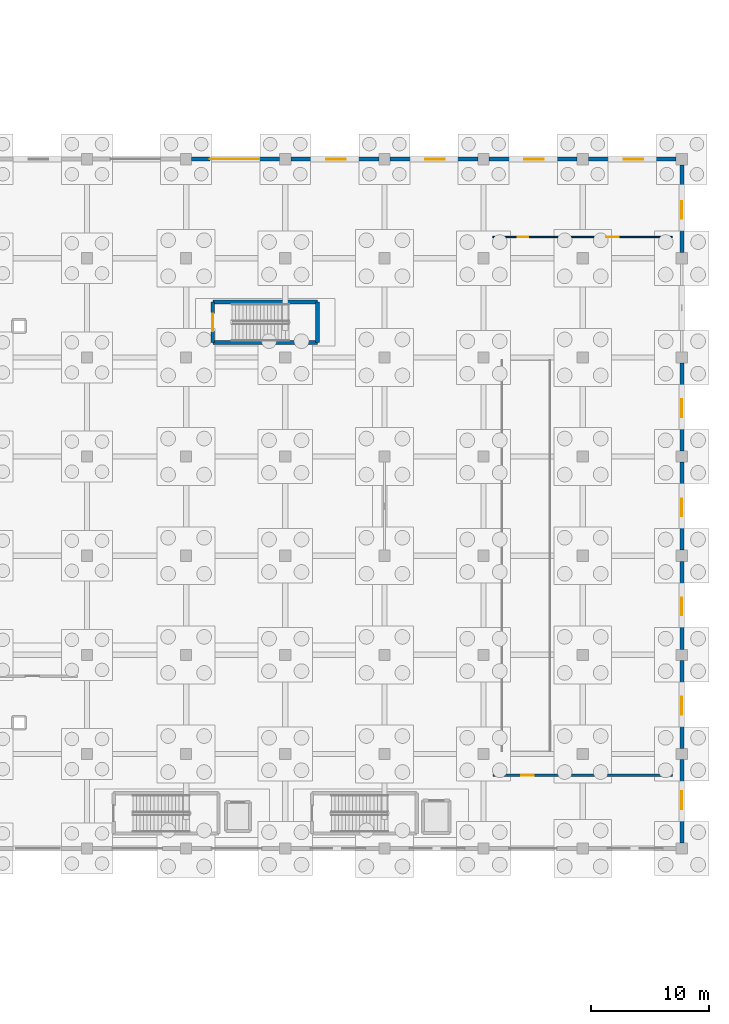
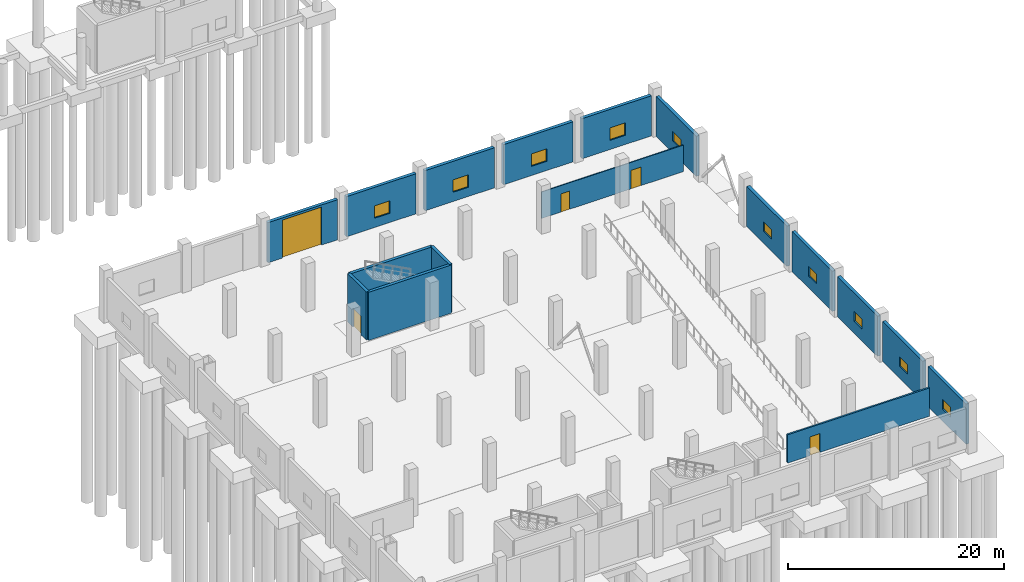
# One storey, part 59 of 83: 17 walls, 10 windows, 5 doors, 15 openings.
"""IFC4 building model written with IfcOpenShell, lengths in metres."""

import ifcopenshell
import ifcopenshell.guid

model = None  # the IFC model being written
_history = None  # IfcOwnerHistory: only IFC2X3 demands one
_inside = {}  # id of a spatial element -> (the spatial element, [elements in it])
_under = {}  # id of a project, library or spatial element -> (it, [spatial elements below it])
_declared = {}  # id of a project -> (the project, [libraries it declares])
_typed = {}  # id of a type object -> (the type object, [elements of that type])
_made_of = {}  # id of a material, layer set ... -> (it, [elements and type objects made of it])


def new_model(schema):
    """Start an empty IFC model of exactly this schema.

    Asked for "IFC4X3", IfcOpenShell would pick the latest addendum, in which some entities
    have other attributes; the version numbers below select the first issue.
    IFC2X3 requires an IfcOwnerHistory on every rooted entity: one is made here for all.
    """
    global model, _history
    if schema == "IFC4X3":
        model = ifcopenshell.file(schema_version=(4, 3, 0, 0))
    else:
        model = ifcopenshell.file(schema=schema)
    _inside.clear()
    _under.clear()
    _declared.clear()
    _typed.clear()
    _made_of.clear()
    _history = None
    if model.schema == "IFC2X3":
        org = make("IfcOrganization", Name="unknown")
        user = make(
            "IfcPersonAndOrganization",
            ThePerson=make("IfcPerson", FamilyName="unknown"),
            TheOrganization=org,
        )
        app = make(
            "IfcApplication",
            ApplicationDeveloper=org,
            Version="unknown",
            ApplicationFullName="unknown",
            ApplicationIdentifier="unknown",
        )
        _history = make(
            "IfcOwnerHistory",
            OwningUser=user,
            OwningApplication=app,
            ChangeAction="ADDED",
            CreationDate=0,
        )
    return model


def make(cls, **values):
    """One entity of the class cls with the attributes given. An attribute that is None is left unset."""
    return model.create_entity(
        cls, **{name: value for name, value in values.items() if value is not None}
    )


def rooted(cls, **values):
    """An entity with a GlobalId (a new one), such as an element, a storey or a relation."""
    return make(cls, GlobalId=ifcopenshell.guid.new(), OwnerHistory=_history, **values)


def si_unit(unit_type, name, prefix=None):
    """IfcSIUnit, for example si_unit("LENGTHUNIT", "METRE", prefix="MILLI")."""
    return make("IfcSIUnit", UnitType=unit_type, Prefix=prefix, Name=name)


def assignment(units):
    """IfcUnitAssignment: the units of a project."""
    return None if units is None else make("IfcUnitAssignment", Units=units)


def point(xyz):
    """IfcCartesianPoint."""
    return None if xyz is None else make("IfcCartesianPoint", Coordinates=xyz)


def direction(xyz):
    """IfcDirection."""
    return None if xyz is None else make("IfcDirection", DirectionRatios=xyz)


def frame(location, z_axis=None, x_axis=None):
    """IfcAxis2Placement3D, a coordinate frame: its origin and axes. An axis left out is left unset."""
    return make(
        "IfcAxis2Placement3D",
        Location=point(location),
        Axis=direction(z_axis),
        RefDirection=direction(x_axis),
    )


def frame_2d(location, x_axis=None):
    """IfcAxis2Placement2D, a coordinate frame in the plane: its origin and x axis."""
    return make(
        "IfcAxis2Placement2D", Location=point(location), RefDirection=direction(x_axis)
    )


def origin():
    """The frame at (0, 0, 0) with its axes left unset."""
    return frame((0.0, 0.0, 0.0))


def place(relative_to, where):
    """IfcLocalPlacement: puts the frame where relative to a parent placement (None: the world)."""
    return make(
        "IfcLocalPlacement", PlacementRelTo=relative_to, RelativePlacement=where
    )


def context(
    kind, dimensions, precision=None, world=None, true_north=None, identifier=None
):
    """IfcGeometricRepresentationContext, for example the 3D "Model" context."""
    return make(
        "IfcGeometricRepresentationContext",
        ContextIdentifier=identifier,
        ContextType=kind,
        CoordinateSpaceDimension=dimensions,
        Precision=precision,
        WorldCoordinateSystem=world,
        TrueNorth=true_north,
    )


def subcontext(parent, identifier, kind, view, scale=None):
    """IfcGeometricRepresentationSubContext, for example "Body" below "Model"."""
    return make(
        "IfcGeometricRepresentationSubContext",
        ContextIdentifier=identifier,
        ContextType=kind,
        ParentContext=parent,
        TargetScale=scale,
        TargetView=view,
    )


def project(units=None, contexts=None):
    """IfcProject with its units and contexts."""
    return rooted(
        "IfcProject",
        Name="project",
        RepresentationContexts=contexts,
        UnitsInContext=assignment(units),
    )


def spatial(cls, under=None, at=None, **own):
    """A site, building, storey or space (cls), placed at a placement, below another one or the project."""
    s = rooted(cls, ObjectPlacement=at, **own)
    if under is not None:
        _under.setdefault(under.id(), (under, []))[1].append(s)
    return s


def profile(cls, at=None, kind="AREA", **sizes):
    """A parametric profile (cls). Its sizes go by their IFC names, for example OverallWidth=200.0."""
    return make(cls, ProfileType=kind, Position=at, **sizes)


def rectangle(**sizes):
    """IfcRectangleProfileDef."""
    return profile("IfcRectangleProfileDef", **sizes)


def extrude(swept, where, along, depth):
    """IfcExtrudedAreaSolid: the profile swept, set in the frame where, extruded along a direction by depth."""
    return make(
        "IfcExtrudedAreaSolid",
        SweptArea=swept,
        Position=where,
        ExtrudedDirection=direction(along),
        Depth=depth,
    )


def shape(context_of_items, identifier, shape_type, items):
    """IfcShapeRepresentation: the items that make up one representation, for example the "Body"."""
    return make(
        "IfcShapeRepresentation",
        ContextOfItems=context_of_items,
        RepresentationIdentifier=identifier,
        RepresentationType=shape_type,
        Items=items,
    )


def material(Name=None, Category=None):
    """IfcMaterial."""
    return make("IfcMaterial", Name=Name, Category=Category)


def layer(
    of_material, thickness, ventilated=None, Name=None, Category=None, Priority=None
):
    """IfcMaterialLayer: one layer of a wall or slab, of a material (None: an air gap)."""
    return make(
        "IfcMaterialLayer",
        Material=of_material,
        LayerThickness=thickness,
        IsVentilated=ventilated,
        Name=Name,
        Category=Category,
        Priority=Priority,
    )


def layer_set(layers, Name=None):
    """IfcMaterialLayerSet."""
    return make("IfcMaterialLayerSet", MaterialLayers=layers, LayerSetName=Name)


def made_of(thing, what):
    """Note that an element or type object is made of a material, layer set ...; save() writes the relation."""
    if what is not None:
        _made_of.setdefault(what.id(), (what, []))[1].append(thing)
    return thing


def type_object(cls, material=None, **own):
    """A type object (cls), such as IfcWallType, which elements share."""
    return made_of(rooted(cls, **own), material)


def element(
    cls,
    number,
    at=None,
    inside=None,
    cuts=None,
    type_object=None,
    material=None,
    context=None,
    identifier="Body",
    shape_type=None,
    held_by="IfcProductDefinitionShape",
    body=None,
    shapes=None,
    **own,
):
    """One element of the class cls, such as IfcWall. Its Tag is "e" and its number.

    at: its placement. inside: the storey or other place that contains it. cuts: it is an
    opening in that element (IfcRelVoidsElement). A single representation is given by context,
    identifier, shape_type and body (its items); several are given by shapes. held_by: the class
    of the entity that holds the representations. save() writes the other relations.
    """
    e = rooted(cls, Tag="e%d" % number, ObjectPlacement=at, **own)
    if body is not None:
        shapes = [shape(context, identifier, shape_type, body)]
    if shapes is not None:
        e.Representation = make(held_by, Representations=shapes)
    if inside is not None:
        _inside.setdefault(inside.id(), (inside, []))[1].append(e)
    if cuts is not None:
        rooted(
            "IfcRelVoidsElement", RelatingBuildingElement=cuts, RelatedOpeningElement=e
        )
    if type_object is not None:
        _typed.setdefault(type_object.id(), (type_object, []))[1].append(e)
    return made_of(e, material)


def fill(opening, filler):
    """IfcRelFillsElement: the door or window that sits in an opening."""
    return rooted(
        "IfcRelFillsElement",
        RelatingOpeningElement=opening,
        RelatedBuildingElement=filler,
    )


def aggregate(whole, parts):
    """IfcRelAggregates: a whole, such as a stair, and the parts it consists of."""
    return rooted("IfcRelAggregates", RelatingObject=whole, RelatedObjects=parts)


def save(model, path):
    """Write the relations noted so far, then the file.

    IfcRelAggregates (storeys below a building ...), IfcRelContainedInSpatialStructure (elements
    in a storey), IfcRelDefinesByType, IfcRelAssociatesMaterial and IfcRelDeclares: one each for
    every whole, place, type object, material and project.
    """
    for whole, parts in _under.values():
        aggregate(whole, parts)
    for where, things in _inside.values():
        rooted(
            "IfcRelContainedInSpatialStructure",
            RelatedElements=things,
            RelatingStructure=where,
        )
    for kind, things in _typed.values():
        rooted("IfcRelDefinesByType", RelatedObjects=things, RelatingType=kind)
    for what, things in _made_of.values():
        rooted("IfcRelAssociatesMaterial", RelatedObjects=things, RelatingMaterial=what)
    for by, libraries in _declared.values():
        rooted("IfcRelDeclares", RelatingContext=by, RelatedDefinitions=libraries)
    model.write(path)


model = new_model("IFC4")

# Units and contexts
model_context = context("Model", 3, precision=1e-05, world=origin(), true_north=direction((0.0, 1.0)))
body_context = subcontext(model_context, "Body", "Model", "MODEL_VIEW")
ifc_project = project(units=[si_unit("LENGTHUNIT", "METRE"), si_unit("AREAUNIT", "SQUARE_METRE"), si_unit("VOLUMEUNIT", "CUBIC_METRE"), si_unit("PLANEANGLEUNIT", "RADIAN"), si_unit("MASSUNIT", "GRAM", prefix="KILO"), si_unit("THERMODYNAMICTEMPERATUREUNIT", "KELVIN"), si_unit("POWERUNIT", "WATT")], contexts=[model_context])

# Site, building, storey
site_placement = place(None, origin())
site = spatial("IfcSite", under=ifc_project, at=site_placement, CompositionType="ELEMENT")
building_placement = place(site_placement, origin())
building = spatial("IfcBuilding", under=site, at=building_placement, Name="Mavoryth Pier Ferry Terminal", CompositionType="ELEMENT")
storey_placement = place(building_placement, origin())
storey = spatial("IfcBuildingStorey", under=building, at=storey_placement, Name="L00", CompositionType="ELEMENT", Elevation=0.0)

# Walls
ifc_material_1 = material(Name="Concrete C40/50", Category="concrete")
ifc_layer_1 = layer(ifc_material_1, 0.320068359375, Name="Concrete C40/50", Category="concrete")
ifc_layer_set_1 = layer_set([ifc_layer_1], Name="Concrete C40/50 - CoreWall-Shear-RC320")
wall_type_1 = type_object("IfcWallType", Name="CoreWall-Shear-RC320", PredefinedType="SHEAR", material=ifc_layer_set_1)
for number, where, z_axis, x_axis, name in (
    (1, (128.260009765625, 56.860107421875, 0.0), (0.0, 0.0, 1.0), (1.0, 0.0, 0.0), "Interior Wall IW-L00-0189"),
    (2, (128.260009765625, 60.2900390625, 0.0), (0.0, 0.0, 1.0), (1.0, 0.0, 0.0), "Interior Wall IW-L00-0190"),
):
    element("IfcWall", number, at=place(storey_placement, frame(where, z_axis=z_axis, x_axis=x_axis)), inside=storey, type_object=wall_type_1, Name=name, PredefinedType="SHEAR", context=body_context, shape_type="SweptSolid", body=[
        extrude(rectangle(XDim=8.8798828125, YDim=0.320068359375, at=frame_2d((4.43994140625, 0.0))), origin(), (0.0, 0.0, 1.0), 5.43994140625),
    ])

# Wall, opening, door
wall_1_placement = place(storey_placement, frame((128.260009765625, 60.2900390625, 0.0), z_axis=(0.0, 0.0, 1.0), x_axis=(0.0, -1.0, 0.0)))
wall_1 = element("IfcWall", 3, at=wall_1_placement, inside=storey, type_object=wall_type_1, Name="Interior Wall IW-L00-0191", PredefinedType="SHEAR", context=body_context, shape_type="SweptSolid", body=[
    extrude(rectangle(XDim=3.429931640625, YDim=0.320068359375, at=frame_2d((1.71484375, 0.0))), origin(), (0.0, 0.0, 1.0), 5.43994140625),
])
opening_1_placement = place(wall_1_placement, frame((0.97509765625, 0.0, 0.0)))
opening_1 = element("IfcOpeningElement", 4, at=opening_1_placement, cuts=wall_1, Name="Opening ID01-048", PredefinedType="OPENING", context=body_context, shape_type="SweptSolid", body=[
    extrude(rectangle(XDim=1.47998046875, YDim=2.14990234375, at=frame_2d((0.739990234375, 1.074951171875))), frame((0.0, 0.169921875, 0.0), z_axis=(0.0, -1.0, 0.0), x_axis=(1.0, 0.0, 0.0)), (0.0, 0.0, 1.0), 0.340087890625),
])
ifc_material_2 = material(Name="Painted Galvanised Steel Fire Door", Category="steel")
door_type_1 = type_object("IfcDoorType", Name="Door-StairFire-1480x2150", OperationType="NOTDEFINED", PredefinedType="DOOR", material=ifc_material_2)
door_1_placement = place(opening_1_placement, origin())
door_1 = element("IfcDoor", 5, at=door_1_placement, inside=storey, type_object=door_type_1, Name="Core C4C Stair Exit Door L00", OperationType="SINGLE_SWING_LEFT", OverallHeight=2.14990234375, OverallWidth=1.47998046875, PredefinedType="DOOR", context=body_context, shape_type="SweptSolid", body=[
    extrude(rectangle(XDim=1.47998046875, YDim=2.14990234375, at=frame_2d((0.739990234375, 1.074951171875))), frame((0.0, 0.02490234375, 0.0), z_axis=(0.0, -1.0, 0.0), x_axis=(1.0, 0.0, 0.0)), (0.0, 0.0, 1.0), 0.050048828125),
])
fill(opening_1, door_1)

# Wall
wall_2_placement = place(storey_placement, frame((137.139892578125, 56.860107421875, 0.0), z_axis=(0.0, 0.0, 1.0), x_axis=(0.0, 1.0, 0.0)))
element("IfcWall", 6, at=wall_2_placement, inside=storey, type_object=wall_type_1, Name="Interior Wall IW-L00-0192", PredefinedType="SHEAR", context=body_context, shape_type="SweptSolid", body=[
    extrude(rectangle(XDim=3.429931640625, YDim=0.320068359375, at=frame_2d((1.71484375, 0.0))), origin(), (0.0, 0.0, 1.0), 5.43994140625),
])

# Wall, opening, door
ifc_material_3 = material(Name="Concrete C35/45", Category="concrete")
ifc_layer_2 = layer(ifc_material_3, 0.340087890625, Name="Concrete C35/45", Category="concrete")
ifc_layer_set_2 = layer_set([ifc_layer_2], Name="Concrete C35/45 - ExtWall-Plinth-RC340")
wall_type_2 = type_object("IfcWallType", Name="ExtWall-Plinth-RC340", PredefinedType="SOLIDWALL", material=ifc_layer_set_2)
wall_3_placement = place(storey_placement, frame((133.925048828125, 72.39990234375, 0.0), z_axis=(0.0, 0.0, 1.0), x_axis=(-1.0, 0.0, 0.0)))
wall_3 = element("IfcWall", 7, at=wall_3_placement, inside=storey, type_object=wall_type_2, Name="Exterior Wall EW-L00-041", PredefinedType="SOLIDWALL", context=body_context, shape_type="SweptSolid", body=[
    extrude(rectangle(XDim=7.449951171875, YDim=0.340087890625, at=frame_2d((3.72509765625, 0.0))), origin(), (0.0, 0.0, 1.0), 4.544921875),
])
opening_2_placement = place(wall_3_placement, frame((1.715087890625, 0.0, 0.0)))
opening_2 = element("IfcOpeningElement", 8, at=opening_2_placement, cuts=wall_3, Name="Opening VG-22", PredefinedType="OPENING", context=body_context, shape_type="SweptSolid", body=[
    extrude(rectangle(XDim=4.199951171875, YDim=4.300048828125, at=frame_2d((2.10009765625, 2.14990234375))), frame((0.0, 0.179931640625, 0.0), z_axis=(0.0, -1.0, 0.0), x_axis=(1.0, 0.0, 0.0)), (0.0, 0.0, 1.0), 0.360107421875),
])
ifc_material_4 = material(Name="Thermally Broken Anodised Aluminium and Laminated Glass", Category="aluminium")
door_type_2 = type_object("IfcDoorType", Name="Gate-VehicleShutter-4200x4300", OperationType="NOTDEFINED", PredefinedType="GATE", material=ifc_material_4)
door_2_placement = place(opening_2_placement, origin())
door_2 = element("IfcDoor", 9, at=door_2_placement, inside=storey, type_object=door_type_2, Name="Vehicle Security Shutter VG-22", OperationType="ROLLINGUP", OverallHeight=4.300048828125, OverallWidth=4.199951171875, PredefinedType="GATE", context=body_context, shape_type="SweptSolid", body=[
    extrude(rectangle(XDim=4.199951171875, YDim=4.300048828125, at=frame_2d((2.10009765625, 2.14990234375))), frame((0.0, 0.02490234375, 0.0), z_axis=(0.0, -1.0, 0.0), x_axis=(1.0, 0.0, 0.0)), (0.0, 0.0, 1.0), 0.050048828125),
])
fill(opening_2, door_2)

# Wall, opening, window
wall_4_placement = place(storey_placement, frame((142.324951171875, 72.39990234375, 0.0), z_axis=(0.0, 0.0, 1.0), x_axis=(-1.0, 0.0, 0.0)))
wall_4 = element("IfcWall", 10, at=wall_4_placement, inside=storey, type_object=wall_type_2, Name="Exterior Wall EW-L00-043", PredefinedType="SOLIDWALL", context=body_context, shape_type="SweptSolid", body=[
    extrude(rectangle(XDim=7.449951171875, YDim=0.340087890625, at=frame_2d((3.72509765625, 0.0))), origin(), (0.0, 0.0, 1.0), 4.544921875),
])
opening_3_placement = place(wall_4_placement, frame((2.81494140625, 0.0, 1.050048828125)))
opening_3 = element("IfcOpeningElement", 11, at=opening_3_placement, cuts=wall_4, Name="Opening WN18", PredefinedType="OPENING", context=body_context, shape_type="SweptSolid", body=[
    extrude(rectangle(XDim=1.64990234375, YDim=1.39990234375, at=frame_2d((0.824951171875, 0.699951171875))), frame((0.0, 0.179931640625, 0.0), z_axis=(0.0, -1.0, 0.0), x_axis=(1.0, 0.0, 0.0)), (0.0, 0.0, 1.0), 0.360107421875),
])
ifc_material_5 = material(Name="Thermally Broken Aluminium and Low-E Double Glazing", Category="aluminium")
window_type_1 = type_object("IfcWindowType", Name="Win-Drivers-1650x1400", PartitioningType="DOUBLE_PANEL_VERTICAL", PredefinedType="WINDOW", material=ifc_material_5)
window_1_placement = place(opening_3_placement, origin())
window_1 = element("IfcWindow", 12, at=window_1_placement, inside=storey, type_object=window_type_1, Name="Exterior Window 28", OverallHeight=1.39990234375, OverallWidth=1.64990234375, PartitioningType="DOUBLE_PANEL_VERTICAL", PredefinedType="WINDOW", context=body_context, shape_type="SweptSolid", body=[
    extrude(rectangle(XDim=1.64990234375, YDim=1.39990234375, at=frame_2d((0.824951171875, 0.699951171875))), frame((0.0, 0.030029296875, 0.0), z_axis=(0.0, -1.0, 0.0), x_axis=(1.0, 0.0, 0.0)), (0.0, 0.0, 1.0), 0.06005859375),
])
fill(opening_3, window_1)

wall_5_placement = place(storey_placement, frame((150.72509765625, 72.39990234375, 0.0), z_axis=(0.0, 0.0, 1.0), x_axis=(-1.0, 0.0, 0.0)))
wall_5 = element("IfcWall", 13, at=wall_5_placement, inside=storey, type_object=wall_type_2, Name="Exterior Wall EW-L00-045", PredefinedType="SOLIDWALL", context=body_context, shape_type="SweptSolid", body=[
    extrude(rectangle(XDim=7.4501953125, YDim=0.340087890625, at=frame_2d((3.72509765625, 0.0))), origin(), (0.0, 0.0, 1.0), 4.544921875),
])
opening_4_placement = place(wall_5_placement, frame((2.81494140625, 0.0, 1.050048828125)))
opening_4 = element("IfcOpeningElement", 14, at=opening_4_placement, cuts=wall_5, Name="Opening WN18", PredefinedType="OPENING", context=body_context, shape_type="SweptSolid", body=[
    extrude(rectangle(XDim=1.64990234375, YDim=1.39990234375, at=frame_2d((0.824951171875, 0.699951171875))), frame((0.0, 0.179931640625, 0.0), z_axis=(0.0, -1.0, 0.0), x_axis=(1.0, 0.0, 0.0)), (0.0, 0.0, 1.0), 0.360107421875),
])
window_2_placement = place(opening_4_placement, origin())
window_2 = element("IfcWindow", 15, at=window_2_placement, inside=storey, type_object=window_type_1, Name="Exterior Window 30", OverallHeight=1.39990234375, OverallWidth=1.64990234375, PartitioningType="DOUBLE_PANEL_VERTICAL", PredefinedType="WINDOW", context=body_context, shape_type="SweptSolid", body=[
    extrude(rectangle(XDim=1.64990234375, YDim=1.39990234375, at=frame_2d((0.824951171875, 0.699951171875))), frame((0.0, 0.030029296875, 0.0), z_axis=(0.0, -1.0, 0.0), x_axis=(1.0, 0.0, 0.0)), (0.0, 0.0, 1.0), 0.06005859375),
])
fill(opening_4, window_2)

wall_6_placement = place(storey_placement, frame((159.125, 72.39990234375, 0.0), z_axis=(0.0, 0.0, 1.0), x_axis=(-1.0, 0.0, 0.0)))
wall_6 = element("IfcWall", 16, at=wall_6_placement, inside=storey, type_object=wall_type_2, Name="Exterior Wall EW-L00-047", PredefinedType="SOLIDWALL", context=body_context, shape_type="SweptSolid", body=[
    extrude(rectangle(XDim=7.449951171875, YDim=0.340087890625, at=frame_2d((3.72509765625, 0.0))), origin(), (0.0, 0.0, 1.0), 4.544921875),
])
opening_5_placement = place(wall_6_placement, frame((2.81494140625, 0.0, 1.050048828125)))
opening_5 = element("IfcOpeningElement", 17, at=opening_5_placement, cuts=wall_6, Name="Opening WN18", PredefinedType="OPENING", context=body_context, shape_type="SweptSolid", body=[
    extrude(rectangle(XDim=1.64990234375, YDim=1.39990234375, at=frame_2d((0.824951171875, 0.699951171875))), frame((0.0, 0.179931640625, 0.0), z_axis=(0.0, -1.0, 0.0), x_axis=(1.0, 0.0, 0.0)), (0.0, 0.0, 1.0), 0.360107421875),
])
window_3_placement = place(opening_5_placement, origin())
window_3 = element("IfcWindow", 18, at=window_3_placement, inside=storey, type_object=window_type_1, Name="Exterior Window 31", OverallHeight=1.39990234375, OverallWidth=1.64990234375, PartitioningType="DOUBLE_PANEL_VERTICAL", PredefinedType="WINDOW", context=body_context, shape_type="SweptSolid", body=[
    extrude(rectangle(XDim=1.64990234375, YDim=1.39990234375, at=frame_2d((0.824951171875, 0.699951171875))), frame((0.0, 0.030029296875, 0.0), z_axis=(0.0, -1.0, 0.0), x_axis=(1.0, 0.0, 0.0)), (0.0, 0.0, 1.0), 0.06005859375),
])
fill(opening_5, window_3)

wall_7_placement = place(storey_placement, frame((167.52490234375, 72.39990234375, 0.0), z_axis=(0.0, 0.0, 1.0), x_axis=(-1.0, 0.0, 0.0)))
wall_7 = element("IfcWall", 19, at=wall_7_placement, inside=storey, type_object=wall_type_2, Name="Exterior Wall EW-L00-049", PredefinedType="SOLIDWALL", context=body_context, shape_type="SweptSolid", body=[
    extrude(rectangle(XDim=7.449951171875, YDim=0.340087890625, at=frame_2d((3.72509765625, 0.0))), origin(), (0.0, 0.0, 1.0), 4.544921875),
])
opening_6_placement = place(wall_7_placement, frame((2.81494140625, 0.0, 1.050048828125)))
opening_6 = element("IfcOpeningElement", 20, at=opening_6_placement, cuts=wall_7, Name="Opening WN18", PredefinedType="OPENING", context=body_context, shape_type="SweptSolid", body=[
    extrude(rectangle(XDim=1.64990234375, YDim=1.39990234375, at=frame_2d((0.824951171875, 0.699951171875))), frame((0.0, 0.179931640625, 0.0), z_axis=(0.0, -1.0, 0.0), x_axis=(1.0, 0.0, 0.0)), (0.0, 0.0, 1.0), 0.360107421875),
])
window_4_placement = place(opening_6_placement, origin())
window_4 = element("IfcWindow", 21, at=window_4_placement, inside=storey, type_object=window_type_1, Name="Exterior Window 33", OverallHeight=1.39990234375, OverallWidth=1.64990234375, PartitioningType="DOUBLE_PANEL_VERTICAL", PredefinedType="WINDOW", context=body_context, shape_type="SweptSolid", body=[
    extrude(rectangle(XDim=1.64990234375, YDim=1.39990234375, at=frame_2d((0.824951171875, 0.699951171875))), frame((0.0, 0.030029296875, 0.0), z_axis=(0.0, -1.0, 0.0), x_axis=(1.0, 0.0, 0.0)), (0.0, 0.0, 1.0), 0.06005859375),
])
fill(opening_6, window_4)

wall_8_placement = place(storey_placement, frame((168.0, 14.47509765625, 0.0), z_axis=(0.0, 0.0, 1.0), x_axis=(0.0, 1.0, 0.0)))
wall_8 = element("IfcWall", 22, at=wall_8_placement, inside=storey, type_object=wall_type_2, Name="Exterior Wall EW-L00-051", PredefinedType="SOLIDWALL", context=body_context, shape_type="SweptSolid", body=[
    extrude(rectangle(XDim=7.0498046875, YDim=0.340087890625, at=frame_2d((3.52490234375, 0.0))), origin(), (0.0, 0.0, 1.0), 4.544921875),
])
opening_7_placement = place(wall_8_placement, frame((2.864990234375, 0.0, 1.35009765625)))
opening_7 = element("IfcOpeningElement", 23, at=opening_7_placement, cuts=wall_8, Name="Opening WN19", PredefinedType="OPENING", context=body_context, shape_type="SweptSolid", body=[
    extrude(rectangle(XDim=1.5, YDim=1.10009765625, at=frame_2d((0.75, 0.550048828125))), frame((0.0, 0.179931640625, 0.0), z_axis=(0.0, -1.0, 0.0), x_axis=(1.0, 0.0, 0.0)), (0.0, 0.0, 1.0), 0.360107421875),
])
window_type_2 = type_object("IfcWindowType", Name="Win-Plant-1500x1100", PartitioningType="SINGLE_PANEL", PredefinedType="WINDOW", material=ifc_material_5)
window_5_placement = place(opening_7_placement, origin())
window_5 = element("IfcWindow", 24, at=window_5_placement, inside=storey, type_object=window_type_2, Name="Exterior Window 35", OverallHeight=1.10009765625, OverallWidth=1.5, PartitioningType="SINGLE_PANEL", PredefinedType="WINDOW", context=body_context, shape_type="SweptSolid", body=[
    extrude(rectangle(XDim=1.5, YDim=1.10009765625, at=frame_2d((0.75, 0.550048828125))), frame((0.0, 0.030029296875, 0.0), z_axis=(0.0, -1.0, 0.0), x_axis=(1.0, 0.0, 0.0)), (0.0, 0.0, 1.0), 0.06005859375),
])
fill(opening_7, window_5)

wall_9_placement = place(storey_placement, frame((168.0, 22.47509765625, 0.0), z_axis=(0.0, 0.0, 1.0), x_axis=(0.0, 1.0, 0.0)))
wall_9 = element("IfcWall", 25, at=wall_9_placement, inside=storey, type_object=wall_type_2, Name="Exterior Wall EW-L00-053", PredefinedType="SOLIDWALL", context=body_context, shape_type="SweptSolid", body=[
    extrude(rectangle(XDim=7.449951171875, YDim=0.340087890625, at=frame_2d((3.72509765625, 0.0))), origin(), (0.0, 0.0, 1.0), 4.544921875),
])
opening_8_placement = place(wall_9_placement, frame((2.864990234375, 0.0, 1.35009765625)))
opening_8 = element("IfcOpeningElement", 26, at=opening_8_placement, cuts=wall_9, Name="Opening WN19", PredefinedType="OPENING", context=body_context, shape_type="SweptSolid", body=[
    extrude(rectangle(XDim=1.5, YDim=1.10009765625, at=frame_2d((0.75, 0.550048828125))), frame((0.0, 0.179931640625, 0.0), z_axis=(0.0, -1.0, 0.0), x_axis=(1.0, 0.0, 0.0)), (0.0, 0.0, 1.0), 0.360107421875),
])
window_6_placement = place(opening_8_placement, origin())
window_6 = element("IfcWindow", 27, at=window_6_placement, inside=storey, type_object=window_type_2, Name="Exterior Window 37", OverallHeight=1.10009765625, OverallWidth=1.5, PartitioningType="SINGLE_PANEL", PredefinedType="WINDOW", context=body_context, shape_type="SweptSolid", body=[
    extrude(rectangle(XDim=1.5, YDim=1.10009765625, at=frame_2d((0.75, 0.550048828125))), frame((0.0, 0.030029296875, 0.0), z_axis=(0.0, -1.0, 0.0), x_axis=(1.0, 0.0, 0.0)), (0.0, 0.0, 1.0), 0.06005859375),
])
fill(opening_8, window_6)

wall_10_placement = place(storey_placement, frame((168.0, 30.875, 0.0), z_axis=(0.0, 0.0, 1.0), x_axis=(0.0, 1.0, 0.0)))
wall_10 = element("IfcWall", 28, at=wall_10_placement, inside=storey, type_object=wall_type_2, Name="Exterior Wall EW-L00-055", PredefinedType="SOLIDWALL", context=body_context, shape_type="SweptSolid", body=[
    extrude(rectangle(XDim=7.449951171875, YDim=0.340087890625, at=frame_2d((3.72509765625, 0.0))), origin(), (0.0, 0.0, 1.0), 4.544921875),
])
opening_9_placement = place(wall_10_placement, frame((2.864990234375, 0.0, 1.35009765625)))
opening_9 = element("IfcOpeningElement", 29, at=opening_9_placement, cuts=wall_10, Name="Opening WN19", PredefinedType="OPENING", context=body_context, shape_type="SweptSolid", body=[
    extrude(rectangle(XDim=1.5, YDim=1.10009765625, at=frame_2d((0.75, 0.550048828125))), frame((0.0, 0.179931640625, 0.0), z_axis=(0.0, -1.0, 0.0), x_axis=(1.0, 0.0, 0.0)), (0.0, 0.0, 1.0), 0.360107421875),
])
window_7_placement = place(opening_9_placement, origin())
window_7 = element("IfcWindow", 30, at=window_7_placement, inside=storey, type_object=window_type_2, Name="Exterior Window 39", OverallHeight=1.10009765625, OverallWidth=1.5, PartitioningType="SINGLE_PANEL", PredefinedType="WINDOW", context=body_context, shape_type="SweptSolid", body=[
    extrude(rectangle(XDim=1.5, YDim=1.10009765625, at=frame_2d((0.75, 0.550048828125))), frame((0.0, 0.030029296875, 0.0), z_axis=(0.0, -1.0, 0.0), x_axis=(1.0, 0.0, 0.0)), (0.0, 0.0, 1.0), 0.06005859375),
])
fill(opening_9, window_7)

wall_11_placement = place(storey_placement, frame((168.0, 39.27490234375, 0.0), z_axis=(0.0, 0.0, 1.0), x_axis=(0.0, 1.0, 0.0)))
wall_11 = element("IfcWall", 31, at=wall_11_placement, inside=storey, type_object=wall_type_2, Name="Exterior Wall EW-L00-057", PredefinedType="SOLIDWALL", context=body_context, shape_type="SweptSolid", body=[
    extrude(rectangle(XDim=7.4501953125, YDim=0.340087890625, at=frame_2d((3.72509765625, 0.0))), origin(), (0.0, 0.0, 1.0), 4.544921875),
])
opening_10_placement = place(wall_11_placement, frame((2.864990234375, 0.0, 1.35009765625)))
opening_10 = element("IfcOpeningElement", 32, at=opening_10_placement, cuts=wall_11, Name="Opening WN19", PredefinedType="OPENING", context=body_context, shape_type="SweptSolid", body=[
    extrude(rectangle(XDim=1.5, YDim=1.10009765625, at=frame_2d((0.75, 0.550048828125))), frame((0.0, 0.179931640625, 0.0), z_axis=(0.0, -1.0, 0.0), x_axis=(1.0, 0.0, 0.0)), (0.0, 0.0, 1.0), 0.360107421875),
])
window_8_placement = place(opening_10_placement, origin())
window_8 = element("IfcWindow", 33, at=window_8_placement, inside=storey, type_object=window_type_2, Name="Exterior Window 41", OverallHeight=1.10009765625, OverallWidth=1.5, PartitioningType="SINGLE_PANEL", PredefinedType="WINDOW", context=body_context, shape_type="SweptSolid", body=[
    extrude(rectangle(XDim=1.5, YDim=1.10009765625, at=frame_2d((0.75, 0.550048828125))), frame((0.0, 0.030029296875, 0.0), z_axis=(0.0, -1.0, 0.0), x_axis=(1.0, 0.0, 0.0)), (0.0, 0.0, 1.0), 0.06005859375),
])
fill(opening_10, window_8)

wall_12_placement = place(storey_placement, frame((168.0, 47.675048828125, 0.0), z_axis=(0.0, 0.0, 1.0), x_axis=(0.0, 1.0, 0.0)))
wall_12 = element("IfcWall", 34, at=wall_12_placement, inside=storey, type_object=wall_type_2, Name="Exterior Wall EW-L00-059", PredefinedType="SOLIDWALL", context=body_context, shape_type="SweptSolid", body=[
    extrude(rectangle(XDim=7.449951171875, YDim=0.340087890625, at=frame_2d((3.72509765625, 0.0))), origin(), (0.0, 0.0, 1.0), 4.544921875),
])
opening_11_placement = place(wall_12_placement, frame((2.864990234375, 0.0, 1.35009765625)))
opening_11 = element("IfcOpeningElement", 35, at=opening_11_placement, cuts=wall_12, Name="Opening WN19", PredefinedType="OPENING", context=body_context, shape_type="SweptSolid", body=[
    extrude(rectangle(XDim=1.5, YDim=1.10009765625, at=frame_2d((0.75, 0.550048828125))), frame((0.0, 0.179931640625, 0.0), z_axis=(0.0, -1.0, 0.0), x_axis=(1.0, 0.0, 0.0)), (0.0, 0.0, 1.0), 0.360107421875),
])
window_9_placement = place(opening_11_placement, origin())
window_9 = element("IfcWindow", 36, at=window_9_placement, inside=storey, type_object=window_type_2, Name="Exterior Window 43", OverallHeight=1.10009765625, OverallWidth=1.5, PartitioningType="SINGLE_PANEL", PredefinedType="WINDOW", context=body_context, shape_type="SweptSolid", body=[
    extrude(rectangle(XDim=1.5, YDim=1.10009765625, at=frame_2d((0.75, 0.550048828125))), frame((0.0, 0.030029296875, 0.0), z_axis=(0.0, -1.0, 0.0), x_axis=(1.0, 0.0, 0.0)), (0.0, 0.0, 1.0), 0.06005859375),
])
fill(opening_11, window_9)

wall_13_placement = place(storey_placement, frame((168.0, 64.47509765625, 0.0), z_axis=(0.0, 0.0, 1.0), x_axis=(0.0, 1.0, 0.0)))
wall_13 = element("IfcWall", 37, at=wall_13_placement, inside=storey, type_object=wall_type_2, Name="Exterior Wall EW-L00-062", PredefinedType="SOLIDWALL", context=body_context, shape_type="SweptSolid", body=[
    extrude(rectangle(XDim=7.449951171875, YDim=0.340087890625, at=frame_2d((3.72509765625, 0.0))), origin(), (0.0, 0.0, 1.0), 4.544921875),
])
opening_12_placement = place(wall_13_placement, frame((2.864990234375, 0.0, 1.35009765625)))
opening_12 = element("IfcOpeningElement", 38, at=opening_12_placement, cuts=wall_13, Name="Opening WN19", PredefinedType="OPENING", context=body_context, shape_type="SweptSolid", body=[
    extrude(rectangle(XDim=1.5, YDim=1.10009765625, at=frame_2d((0.75, 0.550048828125))), frame((0.0, 0.179931640625, 0.0), z_axis=(0.0, -1.0, 0.0), x_axis=(1.0, 0.0, 0.0)), (0.0, 0.0, 1.0), 0.360107421875),
])
window_10_placement = place(opening_12_placement, origin())
window_10 = element("IfcWindow", 39, at=window_10_placement, inside=storey, type_object=window_type_2, Name="Exterior Window 46", OverallHeight=1.10009765625, OverallWidth=1.5, PartitioningType="SINGLE_PANEL", PredefinedType="WINDOW", context=body_context, shape_type="SweptSolid", body=[
    extrude(rectangle(XDim=1.5, YDim=1.10009765625, at=frame_2d((0.75, 0.550048828125))), frame((0.0, 0.030029296875, 0.0), z_axis=(0.0, -1.0, 0.0), x_axis=(1.0, 0.0, 0.0)), (0.0, 0.0, 1.0), 0.06005859375),
])
fill(opening_12, window_10)

# Wall, opening, door
ifc_material_6 = material(Name="Autoclaved Aerated Concrete Blockwork", Category="masonry")
ifc_layer_3 = layer(ifc_material_6, 0.179931640625, Name="Autoclaved Aerated Concrete Blockwork", Category="masonry")
ifc_layer_set_3 = layer_set([ifc_layer_3], Name="Autoclaved Aerated Concrete Blockwork - IntWall-PlantRated-180")
wall_type_3 = type_object("IfcWallType", Name="IntWall-PlantRated-180", PredefinedType="SOLIDWALL", material=ifc_layer_set_3)
wall_14_placement = place(storey_placement, frame((152.0, 20.199951171875, 0.0), z_axis=(0.0, 0.0, 1.0), x_axis=(1.0, 0.0, 0.0)))
wall_14 = element("IfcWall", 40, at=wall_14_placement, inside=storey, type_object=wall_type_3, Name="Interior Wall IW-L00-0431", PredefinedType="SOLIDWALL", context=body_context, shape_type="SweptSolid", body=[
    extrude(rectangle(XDim=15.199951171875, YDim=0.179931640625, at=frame_2d((7.60009765625, 0.0))), origin(), (0.0, 0.0, 1.0), 3.199951171875),
])
opening_13_placement = place(wall_14_placement, frame((2.39990234375, 0.0, 0.0)))
opening_13 = element("IfcOpeningElement", 41, at=opening_13_placement, cuts=wall_14, Name="Opening ID08-099", PredefinedType="OPENING", context=body_context, shape_type="SweptSolid", body=[
    extrude(rectangle(XDim=1.0400390625, YDim=2.139892578125, at=frame_2d((0.52001953125, 1.06982421875))), frame((0.0, 0.099853515625, 0.0), z_axis=(0.0, -1.0, 0.0), x_axis=(1.0, 0.0, 0.0)), (0.0, 0.0, 1.0), 0.199951171875),
])
ifc_material_7 = material(Name="Solid-Core Oak Veneer Timber Door", Category="wood")
door_type_3 = type_object("IfcDoorType", Name="Door-RoomSingle-1040x2140", OperationType="NOTDEFINED", PredefinedType="DOOR", material=ifc_material_7)
door_3_placement = place(opening_13_placement, origin())
door_3 = element("IfcDoor", 42, at=door_3_placement, inside=storey, type_object=door_type_3, Name="Interior Door ID08-099", OperationType="SINGLE_SWING_LEFT", OverallHeight=2.139892578125, OverallWidth=1.0400390625, PredefinedType="DOOR", context=body_context, shape_type="SweptSolid", body=[
    extrude(rectangle(XDim=1.0400390625, YDim=2.139892578125, at=frame_2d((0.52001953125, 1.06982421875))), frame((0.0, 0.02490234375, 0.0), z_axis=(0.0, -1.0, 0.0), x_axis=(1.0, 0.0, 0.0)), (0.0, 0.0, 1.0), 0.050048828125),
])
fill(opening_13, door_3)

# Wall, openings, doors
ifc_material_8 = material(Name="Moisture-Resistant Cement-Board Partition")
ifc_layer_4 = layer(ifc_material_8, 0.10009765625, Name="Moisture-Resistant Cement-Board Partition")
ifc_layer_set_4 = layer_set([ifc_layer_4], Name="Moisture-Resistant Cement-Board Partition - Part-WetArea-100")
wall_type_4 = type_object("IfcWallType", Name="Part-WetArea-100", PredefinedType="PARTITIONING", material=ifc_layer_set_4)
wall_15_placement = place(storey_placement, frame((152.0, 65.800048828125, 0.0), z_axis=(0.0, 0.0, 1.0), x_axis=(1.0, 0.0, 0.0)))
wall_15 = element("IfcWall", 43, at=wall_15_placement, inside=storey, type_object=wall_type_4, Name="Interior Wall IW-L00-0432", PredefinedType="PARTITIONING", context=body_context, shape_type="SweptSolid", body=[
    extrude(rectangle(XDim=15.199951171875, YDim=0.10009765625, at=frame_2d((7.60009765625, 0.0))), origin(), (0.0, 0.0, 1.0), 3.0),
])
opening_14_placement = place(wall_15_placement, frame((2.10009765625, 0.0, 0.0)))
opening_14 = element("IfcOpeningElement", 44, at=opening_14_placement, cuts=wall_15, Name="Opening ID12-100", PredefinedType="OPENING", context=body_context, shape_type="SweptSolid", body=[
    extrude(rectangle(XDim=0.89990234375, YDim=2.06005859375, at=frame_2d((0.449951171875, 1.030029296875))), frame((0.0, 0.06005859375, 0.0), z_axis=(0.0, -1.0, 0.0), x_axis=(1.0, 0.0, 0.0)), (0.0, 0.0, 1.0), 0.1201171875),
])
opening_15_placement = place(wall_15_placement, frame((9.60009765625, 0.0, 0.0)))
opening_15 = element("IfcOpeningElement", 45, at=opening_15_placement, cuts=wall_15, Name="Opening ID11-101", PredefinedType="OPENING", context=body_context, shape_type="SweptSolid", body=[
    extrude(rectangle(XDim=1.06005859375, YDim=2.10009765625, at=frame_2d((0.530029296875, 1.050048828125))), frame((0.0, 0.06005859375, 0.0), z_axis=(0.0, -1.0, 0.0), x_axis=(1.0, 0.0, 0.0)), (0.0, 0.0, 1.0), 0.1201171875),
])
ifc_material_9 = material(Name="High-Pressure Laminate Accessible Door")
door_type_4 = type_object("IfcDoorType", Name="Door-AccessibleWC-1060x2100", OperationType="NOTDEFINED", PredefinedType="DOOR", material=ifc_material_9)
door_4_placement = place(opening_15_placement, origin())
door_4 = element("IfcDoor", 46, at=door_4_placement, inside=storey, type_object=door_type_4, Name="Drivers Accessible WC Door", OperationType="SINGLE_SWING_LEFT", OverallHeight=2.10009765625, OverallWidth=1.06005859375, PredefinedType="DOOR", context=body_context, shape_type="SweptSolid", body=[
    extrude(rectangle(XDim=1.06005859375, YDim=2.10009765625, at=frame_2d((0.530029296875, 1.050048828125))), frame((0.0, 0.02490234375, 0.0), z_axis=(0.0, -1.0, 0.0), x_axis=(1.0, 0.0, 0.0)), (0.0, 0.0, 1.0), 0.050048828125),
])
fill(opening_15, door_4)
ifc_material_10 = material(Name="High-Pressure Laminate Moisture Door")
door_type_5 = type_object("IfcDoorType", Name="Door-Toilet-900x2060", OperationType="NOTDEFINED", PredefinedType="DOOR", material=ifc_material_10)
door_5_placement = place(opening_14_placement, origin())
door_5 = element("IfcDoor", 47, at=door_5_placement, inside=storey, type_object=door_type_5, Name="Drivers WC Door", OperationType="SINGLE_SWING_RIGHT", OverallHeight=2.06005859375, OverallWidth=0.89990234375, PredefinedType="DOOR", context=body_context, shape_type="SweptSolid", body=[
    extrude(rectangle(XDim=0.89990234375, YDim=2.06005859375, at=frame_2d((0.449951171875, 1.030029296875))), frame((0.0, 0.02490234375, 0.0), z_axis=(0.0, -1.0, 0.0), x_axis=(1.0, 0.0, 0.0)), (0.0, 0.0, 1.0), 0.050048828125),
])
fill(opening_14, door_5)

save(model, "model.ifc")
